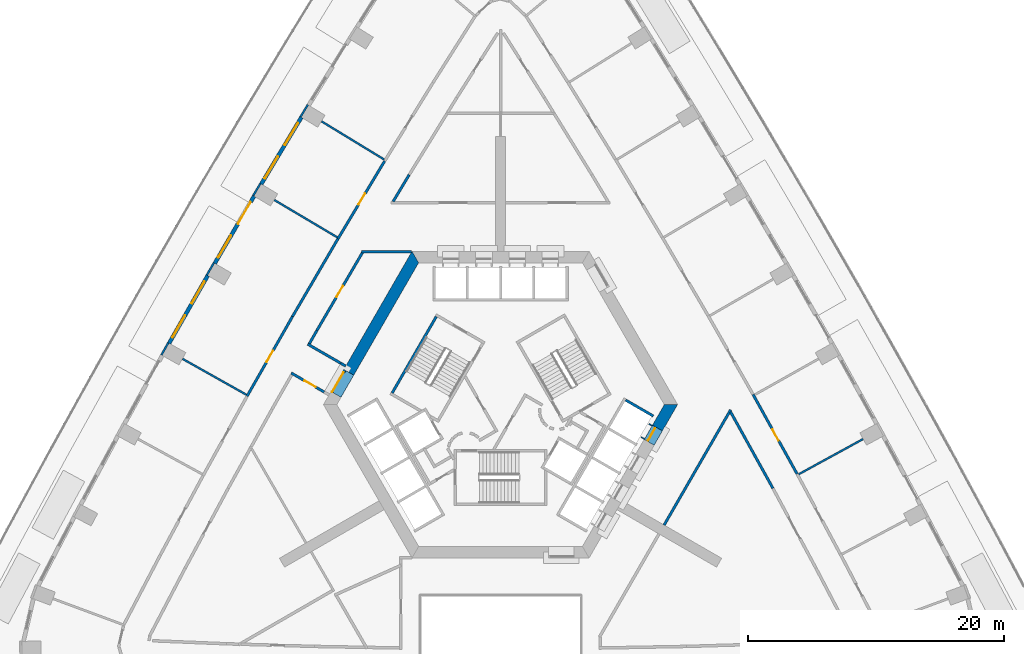
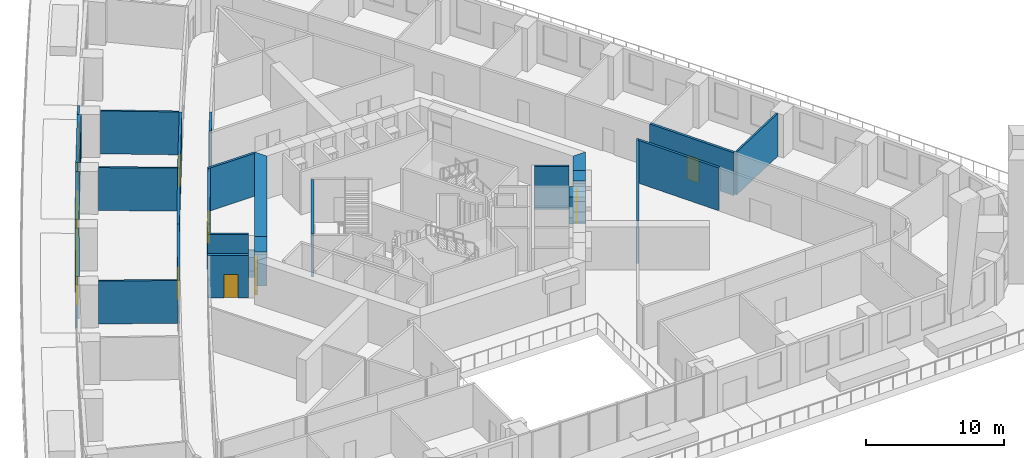
# One storey, part 8 of 16: 32 walls, 8 doors, 5 windows, 13 openings.
"""IFC4 building model written with IfcOpenShell, lengths in metres."""

from ifc_helpers import new_model, si_unit, direction, frame, frame_2d, origin, place, context, subcontext, project, spatial, polyline, rectangle, outline, extrude, material, layer, layer_set, type_object, element, fill, save


model = new_model("IFC4")

# Units and contexts
model_context = context("Model", 3, precision=1e-05, world=origin(), true_north=direction((0.0, 1.0)))
body_context = subcontext(model_context, "Body", "Model", "MODEL_VIEW")
ifc_project = project(units=[si_unit("LENGTHUNIT", "METRE"), si_unit("AREAUNIT", "SQUARE_METRE"), si_unit("VOLUMEUNIT", "CUBIC_METRE"), si_unit("PLANEANGLEUNIT", "RADIAN"), si_unit("MASSUNIT", "GRAM", prefix="KILO")], contexts=[model_context])

# Site, building, storey
site_placement = place(None, origin())
site = spatial("IfcSite", under=ifc_project, at=site_placement, CompositionType="ELEMENT")
building_placement = place(site_placement, origin())
building = spatial("IfcBuilding", under=site, at=building_placement, Name="Entoto Arch Interchange Tower", CompositionType="ELEMENT")
storey_placement = place(building_placement, frame((0.0, 0.0, 86.60009765625)))
storey = spatial("IfcBuildingStorey", under=building, at=storey_placement, Name="L18", CompositionType="ELEMENT", Elevation=86.60009765625)

# Wall, opening, door
ifc_material_1 = material(Name="Reinforced concrete C40/50", Category="concrete")
ifc_layer_1 = layer(ifc_material_1, 0.199951171875)
ifc_layer_set_1 = layer_set([ifc_layer_1], Name="Reinforced concrete C40/50")
wall_type_1 = type_object("IfcWallType", Name="CORE GAP INFILL WALL", PredefinedType="PARTITIONING", material=ifc_layer_set_1)
wall_1_placement = place(storey_placement, frame((-12.179931640625, 5.201904296875, 0.0), z_axis=(0.0, 0.0, 1.0), x_axis=(-0.50002537861, -0.866010750942, 0.0)))
wall_1 = element("IfcWall", 1, at=wall_1_placement, inside=storey, type_object=wall_type_1, Name="wall:L18:gap3", PredefinedType="PARTITIONING", context=body_context, shape_type="SweptSolid", body=[
    extrude(rectangle(XDim=2.0, YDim=0.199951171875, at=frame_2d((1.0, 0.0))), origin(), (0.0, 0.0, 1.0), 2.39990234375),
])
opening_1_placement = place(wall_1_placement, frame((0.18994140625, 0.0, 0.0)))
opening_1 = element("IfcOpeningElement", 2, at=opening_1_placement, cuts=wall_1, Name="Opening L18-D93", PredefinedType="OPENING", context=body_context, shape_type="SweptSolid", body=[
    extrude(rectangle(XDim=1.800048828125, YDim=2.10009765625, at=frame_2d((0.89990234375, 1.050048828125))), frame((0.0, 0.10986328125, 0.0), z_axis=(0.0, -1.0, 0.0), x_axis=(1.0, 0.0, 0.0)), (0.0, 0.0, 1.0), 0.219970703125),
])
ifc_material_2 = material(Name="Fire-rated Steel S235 door and frame", Category="steel")
door_type_1 = type_object("IfcDoorType", Name="DOOR FD-18 1800x2100", OperationType="DOUBLE_DOOR_SINGLE_SWING", PredefinedType="DOOR", material=ifc_material_2)
door_1_placement = place(opening_1_placement, origin())
door_1 = element("IfcDoor", 3, at=door_1_placement, inside=storey, type_object=door_type_1, Name="door:L18:gap3", OperationType="DOUBLE_DOOR_SINGLE_SWING", OverallHeight=2.10009765625, OverallWidth=1.800048828125, PredefinedType="DOOR", context=body_context, shape_type="SweptSolid", body=[
    extrude(rectangle(XDim=1.800048828125, YDim=2.10009765625, at=frame_2d((0.89990234375, 1.050048828125))), frame((0.0, 0.02490234375, 0.0), z_axis=(0.0, -1.0, 0.0), x_axis=(1.0, 0.0, 0.0)), (0.0, 0.0, 1.0), 0.050048828125),
])
fill(opening_1, door_1)

# Walls
ifc_material_3 = material(Name="Concrete C60/75", Category="concrete")
ifc_layer_2 = layer(ifc_material_3, 0.89990234375)
ifc_layer_set_2 = layer_set([ifc_layer_2], Name="Concrete C60/75")
wall_type_2 = type_object("IfcWallType", Name="Core wall 900 C60/75", PredefinedType="SHEAR", material=ifc_layer_set_2)
wall_2_placement = place(storey_placement, frame((0.0, 0.0, -0.60009765625)))
element("IfcWall", 4, at=wall_2_placement, inside=storey, type_object=wall_type_2, Name="Core wall NW L18", PredefinedType="SHEAR", context=body_context, shape_type="SweptSolid", body=[
    extrude(outline(polyline([(-12.26708984375, 5.251953125), (-11.488037109375, 4.802001953125), (-6.408935546875, 13.60009765625), (-6.927978515625, 14.5), (-12.26708984375, 5.251953125)])), origin(), (0.0, 0.0, 1.0), 4.39990234375),
])
wall_3_placement = place(storey_placement, frame((0.0, 0.0, 3.599853515625)))
element("IfcWall", 5, at=wall_3_placement, inside=storey, type_object=wall_type_2, Name="Core wall lintel NW L18", PredefinedType="SHEAR", context=body_context, shape_type="SweptSolid", body=[
    extrude(outline(polyline([(-13.26708984375, 3.52001953125), (-12.488037109375, 3.070068359375), (-11.488037109375, 4.802001953125), (-12.26708984375, 5.251953125), (-13.26708984375, 3.52001953125)])), origin(), (0.0, 0.0, 1.0), 0.199951171875),
])
wall_4_placement = place(storey_placement, frame((0.0, 0.0, -0.60009765625)))
element("IfcWall", 6, at=wall_4_placement, inside=storey, type_object=wall_type_2, Name="Core wall SE L18", PredefinedType="SHEAR", context=body_context, shape_type="SweptSolid", body=[
    extrude(outline(polyline([(11.887939453125, 0.889892578125), (12.6669921875, 0.43994140625), (13.85595703125, 2.5), (12.81689453125, 2.5), (11.887939453125, 0.889892578125)])), origin(), (0.0, 0.0, 1.0), 4.39990234375),
])
wall_5_placement = place(storey_placement, frame((0.0, 0.0, 3.599853515625)))
element("IfcWall", 7, at=wall_5_placement, inside=storey, type_object=wall_type_2, Name="Core wall lintel SE L18", PredefinedType="SHEAR", context=body_context, shape_type="SweptSolid", body=[
    extrude(outline(polyline([(12.6669921875, 0.43994140625), (11.887939453125, 0.889892578125), (11.238037109375, -0.236083984375), (12.01708984375, -0.68603515625), (12.6669921875, 0.43994140625)])), origin(), (0.0, 0.0, 1.0), 0.199951171875),
])

# Wall, opening, door
ifc_material_4 = material(Name="Concrete C40/50", Category="concrete")
ifc_layer_3 = layer(ifc_material_4, 1.199951171875)
ifc_layer_set_3 = layer_set([ifc_layer_3], Name="Concrete C40/50")
wall_type_3 = type_object("IfcWallType", Name="LIFT LANDING INFILL WALL", PredefinedType="STANDARD", material=ifc_layer_set_3)
wall_6_placement = place(storey_placement, frame((11.498046875, -0.385009765625, 0.0), z_axis=(0.0, 0.0, 1.0), x_axis=(0.500221244143, 0.865897630733, 0.0)))
wall_6 = element("IfcWall", 8, at=wall_6_placement, inside=storey, type_object=wall_type_3, Name="Lift landing infill wall LR8 L18", PredefinedType="STANDARD", context=body_context, shape_type="SweptSolid", body=[
    extrude(rectangle(XDim=1.29931640625, YDim=1.199951171875, at=frame_2d((0.649658203125, 0.0))), origin(), (0.0, 0.0, 1.0), 2.39990234375),
])
opening_2_placement = place(wall_6_placement, frame((0.10009765625, 0.0, 0.0)))
opening_2 = element("IfcOpeningElement", 9, at=opening_2_placement, cuts=wall_6, Name="Opening LD-LR8-L18", PredefinedType="OPENING", context=body_context, shape_type="SweptSolid", body=[
    extrude(rectangle(XDim=1.10009765625, YDim=2.300048828125, at=frame_2d((0.550048828125, 1.14990234375))), frame((0.0, 0.60986328125, 0.0), z_axis=(0.0, -1.0, 0.0), x_axis=(1.0, 0.0, 0.0)), (0.0, 0.0, 1.0), 1.219970703125),
])
ifc_material_5 = material(Name="Stainless steel 1.4301 panels", Category="steel")
door_type_2 = type_object("IfcDoorType", Name="LIFT LANDING DOOR LD2 1100x2300", OperationType="SLIDING_TO_LEFT", PredefinedType="DOOR", material=ifc_material_5)
door_2_placement = place(opening_2_placement, origin())
door_2 = element("IfcDoor", 10, at=door_2_placement, inside=storey, type_object=door_type_2, Name="Lift landing door LR8 L18", OperationType="SLIDING_TO_LEFT", OverallHeight=2.300048828125, OverallWidth=1.10009765625, PredefinedType="DOOR", context=body_context, shape_type="SweptSolid", body=[
    extrude(rectangle(XDim=1.10009765625, YDim=2.300048828125, at=frame_2d((0.550048828125, 1.14990234375))), frame((0.0, 0.02490234375, 0.0), z_axis=(0.0, -1.0, 0.0), x_axis=(1.0, 0.0, 0.0)), (0.0, 0.0, 1.0), 0.050048828125),
])
fill(opening_2, door_2)

# Walls
ifc_layer_4 = layer(ifc_material_4, 0.199951171875)
ifc_layer_set_4 = layer_set([ifc_layer_4], Name="Concrete C40/50")
wall_type_4 = type_object("IfcWallType", Name="LIFT SHAFT WALL 200", PredefinedType="STANDARD", material=ifc_layer_set_4)
wall_7_placement = place(storey_placement, frame((9.7880859375, 2.85302734375, 0.0), z_axis=(0.0, 0.0, 1.0), x_axis=(0.865998541277, -0.500046524342, 0.0)))
element("IfcWall", 11, at=wall_7_placement, inside=storey, type_object=wall_type_4, Name="Shaft wall SE3 cross 5", PredefinedType="STANDARD", context=body_context, shape_type="SweptSolid", body=[
    extrude(rectangle(XDim=2.499755859375, YDim=0.199951171875, at=frame_2d((1.25, 0.0))), origin(), (0.0, 0.0, 1.0), 3.7998046875),
])
ifc_material_6 = material(Name="Gypsum board partition on steel studs", Category="steel")
ifc_layer_5 = layer(ifc_material_6, 0.14990234375)
ifc_layer_set_5 = layer_set([ifc_layer_5], Name="Gypsum board partition on steel studs")
wall_type_5 = type_object("IfcWallType", Name="PARTITION 150", PredefinedType="PARTITIONING", material=ifc_layer_set_5)
wall_8_placement = place(storey_placement, frame((23.3359375, -2.949951171875, 0.0), z_axis=(0.0, 0.0, 1.0), x_axis=(0.877455496162, 0.479658057637, 0.0)))
element("IfcWall", 12, at=wall_8_placement, inside=storey, type_object=wall_type_5, Name="wall:L18:p116", PredefinedType="PARTITIONING", context=body_context, shape_type="SweptSolid", body=[
    extrude(rectangle(XDim=5.729248046875, YDim=0.14990234375, at=frame_2d((2.86474609375, 0.0))), origin(), (0.0, 0.0, 1.0), 3.7998046875),
])
wall_9_placement = place(storey_placement, frame((-9.113037109375, 21.68408203125, 0.0), z_axis=(0.0, 0.0, 1.0), x_axis=(-0.854075097122, 0.520149717367, 0.0)))
element("IfcWall", 13, at=wall_9_placement, inside=storey, type_object=wall_type_5, Name="wall:L18:p124", PredefinedType="PARTITIONING", context=body_context, shape_type="SweptSolid", body=[
    extrude(rectangle(XDim=5.72900390625, YDim=0.14990234375, at=frame_2d((2.864501953125, 0.0))), origin(), (0.0, 0.0, 1.0), 3.7998046875),
])
wall_10_placement = place(storey_placement, frame((-12.77587890625, 15.589111328125, 0.0), z_axis=(0.0, 0.0, 1.0), x_axis=(-0.860225086153, 0.509914503768, 0.0)))
element("IfcWall", 14, at=wall_10_placement, inside=storey, type_object=wall_type_5, Name="wall:L18:p125", PredefinedType="PARTITIONING", context=body_context, shape_type="SweptSolid", body=[
    extrude(rectangle(XDim=5.730224609375, YDim=0.14990234375, at=frame_2d((2.865234375, 0.0))), origin(), (0.0, 0.0, 1.0), 3.7998046875),
])
wall_11_placement = place(storey_placement, frame((-19.887939453125, 3.27001953125, 0.0), z_axis=(0.0, 0.0, 1.0), x_axis=(-0.871789386467, 0.489880868828, 0.0)))
element("IfcWall", 15, at=wall_11_placement, inside=storey, type_object=wall_type_5, Name="wall:L18:p126", PredefinedType="PARTITIONING", context=body_context, shape_type="SweptSolid", body=[
    extrude(rectangle(XDim=5.729736328125, YDim=0.14990234375, at=frame_2d((2.86474609375, 0.0))), origin(), (0.0, 0.0, 1.0), 3.7998046875),
])
ifc_layer_6 = layer(ifc_material_6, 0.199951171875)
ifc_layer_set_6 = layer_set([ifc_layer_6], Name="Gypsum board partition on steel studs")
wall_type_6 = type_object("IfcWallType", Name="PARTITION 200", PredefinedType="PARTITIONING", material=ifc_layer_set_6)
wall_12_placement = place(storey_placement, frame((-7.14794921875, 20.488037109375, 0.0), z_axis=(0.0, 0.0, 1.0), x_axis=(-0.515008089027, -0.857185317325, 0.0)))
element("IfcWall", 16, at=wall_12_placement, inside=storey, type_object=wall_type_6, Name="wall:L18:p004", PredefinedType="PARTITIONING", context=body_context, shape_type="SweptSolid", body=[
    extrude(rectangle(XDim=2.452392578125, YDim=0.199951171875, at=frame_2d((1.22607421875, 0.0))), origin(), (0.0, 0.0, 1.0), 3.7998046875),
])

# Wall, opening, door
wall_13_placement = place(storey_placement, frame((-10.797119140625, 14.4150390625, 0.0), z_axis=(0.0, 0.0, 1.0), x_axis=(-0.505008297342, -0.863114488128, 0.0)))
wall_13 = element("IfcWall", 17, at=wall_13_placement, inside=storey, type_object=wall_type_6, Name="wall:L18:p005", PredefinedType="PARTITIONING", context=body_context, shape_type="SweptSolid", body=[
    extrude(rectangle(XDim=7.084716796875, YDim=0.199951171875, at=frame_2d((3.54248046875, 0.0))), origin(), (0.0, 0.0, 1.0), 3.7998046875),
])
opening_3_placement = place(wall_13_placement, frame((3.04296875, 0.0, 0.0)))
opening_3 = element("IfcOpeningElement", 18, at=opening_3_placement, cuts=wall_13, Name="Opening L18-D36", PredefinedType="OPENING", context=body_context, shape_type="SweptSolid", body=[
    extrude(rectangle(XDim=1.0, YDim=2.10009765625, at=frame_2d((0.5, 1.050048828125))), frame((0.0, 0.10986328125, 0.0), z_axis=(0.0, -1.0, 0.0), x_axis=(1.0, 0.0, 0.0)), (0.0, 0.0, 1.0), 0.219970703125),
])
ifc_material_7 = material(Name="Timber door leaf in Steel S235 frame", Category="steel")
door_type_3 = type_object("IfcDoorType", Name="DOOR DS-10 1000x2100", OperationType="SINGLE_SWING_LEFT", PredefinedType="DOOR", material=ifc_material_7)
door_3_placement = place(opening_3_placement, origin())
door_3 = element("IfcDoor", 19, at=door_3_placement, inside=storey, type_object=door_type_3, Name="door:L18:36", OperationType="SINGLE_SWING_LEFT", OverallHeight=2.10009765625, OverallWidth=1.0, PredefinedType="DOOR", context=body_context, shape_type="SweptSolid", body=[
    extrude(rectangle(XDim=1.0, YDim=2.10009765625, at=frame_2d((0.5, 1.050048828125))), frame((0.0, 0.02490234375, 0.0), z_axis=(0.0, -1.0, 0.0), x_axis=(1.0, 0.0, 0.0)), (0.0, 0.0, 1.0), 0.050048828125),
])
fill(opening_3, door_3)

# Walls
wall_14_placement = place(storey_placement, frame((-14.375, 8.300048828125, 0.0), z_axis=(0.0, 0.0, 1.0), x_axis=(-0.495074026382, -0.868850797549, 0.0)))
element("IfcWall", 20, at=wall_14_placement, inside=storey, type_object=wall_type_6, Name="wall:L18:p006", PredefinedType="PARTITIONING", context=body_context, shape_type="SweptSolid", body=[
    extrude(rectangle(XDim=1.185546875, YDim=0.199951171875, at=frame_2d((0.5927734375, 0.0))), origin(), (0.0, 0.0, 1.0), 3.7998046875),
])
wall_15_placement = place(storey_placement, frame((-15.097900390625, 7.23291015625, 0.0), z_axis=(0.0, 0.0, 1.0), x_axis=(0.866101363304, -0.499868411168, 0.0)))
element("IfcWall", 21, at=wall_15_placement, inside=storey, type_object=wall_type_6, Name="wall:L18:p007", PredefinedType="PARTITIONING", context=body_context, shape_type="SweptSolid", body=[
    extrude(rectangle(XDim=2.992431640625, YDim=0.199951171875, at=frame_2d((1.49609375, 0.0))), origin(), (0.0, 0.0, 1.0), 3.7998046875),
])
wall_16_placement = place(storey_placement, frame((21.31689453125, -4.052978515625, 0.0), z_axis=(0.0, 0.0, 1.0), x_axis=(-0.484816829319, 0.874615711046, 0.0)))
element("IfcWall", 22, at=wall_16_placement, inside=storey, type_object=wall_type_6, Name="wall:L18:p018", PredefinedType="PARTITIONING", context=body_context, shape_type="SweptSolid", body=[
    extrude(rectangle(XDim=6.826904296875, YDim=0.199951171875, at=frame_2d((3.41357421875, 0.0))), origin(), (0.0, 0.0, 1.0), 3.7998046875),
])

# Wall, opening, door
wall_17_placement = place(storey_placement, frame((19.763916015625, 3.285888671875, 0.0), z_axis=(0.0, 0.0, 1.0), x_axis=(0.484858403734, -0.874592664232, 0.0)))
wall_17 = element("IfcWall", 23, at=wall_17_placement, inside=storey, type_object=wall_type_6, Name="wall:L18:p041", PredefinedType="PARTITIONING", context=body_context, shape_type="SweptSolid", body=[
    extrude(rectangle(XDim=7.109375, YDim=0.199951171875, at=frame_2d((3.5546875, 0.0))), origin(), (0.0, 0.0, 1.0), 3.7998046875),
])
opening_4_placement = place(wall_17_placement, frame((3.1298828125, 0.0, 0.0)))
opening_4 = element("IfcOpeningElement", 24, at=opening_4_placement, cuts=wall_17, Name="Opening L18-D07", PredefinedType="OPENING", context=body_context, shape_type="SweptSolid", body=[
    extrude(rectangle(XDim=1.0, YDim=2.10009765625, at=frame_2d((0.5, 1.050048828125))), frame((0.0, 0.10986328125, 0.0), z_axis=(0.0, -1.0, 0.0), x_axis=(1.0, 0.0, 0.0)), (0.0, 0.0, 1.0), 0.219970703125),
])
door_4_placement = place(opening_4_placement, origin())
door_4 = element("IfcDoor", 25, at=door_4_placement, inside=storey, type_object=door_type_3, Name="door:L18:07", OperationType="SINGLE_SWING_LEFT", OverallHeight=2.10009765625, OverallWidth=1.0, PredefinedType="DOOR", context=body_context, shape_type="SweptSolid", body=[
    extrude(rectangle(XDim=1.0, YDim=2.10009765625, at=frame_2d((0.5, 1.050048828125))), frame((0.0, 0.02490234375, 0.0), z_axis=(0.0, -1.0, 0.0), x_axis=(1.0, 0.0, 0.0)), (0.0, 0.0, 1.0), 0.050048828125),
])
fill(opening_4, door_4)

wall_18_placement = place(storey_placement, frame((-12.72802734375, 15.472900390625, 0.0), z_axis=(0.0, 0.0, 1.0), x_axis=(0.515010673306, 0.857183764651, 0.0)))
wall_18 = element("IfcWall", 26, at=wall_18_placement, inside=storey, type_object=wall_type_6, Name="wall:L18:p053", PredefinedType="PARTITIONING", context=body_context, shape_type="SweptSolid", body=[
    extrude(rectangle(XDim=7.11083984375, YDim=0.199951171875, at=frame_2d((3.555419921875, 0.0))), origin(), (0.0, 0.0, 1.0), 3.7998046875),
])
opening_5_placement = place(wall_18_placement, frame((3.1298828125, 0.0, 0.0)))
opening_5 = element("IfcOpeningElement", 27, at=opening_5_placement, cuts=wall_18, Name="Opening L18-D15", PredefinedType="OPENING", context=body_context, shape_type="SweptSolid", body=[
    extrude(rectangle(XDim=1.0, YDim=2.10009765625, at=frame_2d((0.5, 1.050048828125))), frame((0.0, 0.10986328125, 0.0), z_axis=(0.0, -1.0, 0.0), x_axis=(1.0, 0.0, 0.0)), (0.0, 0.0, 1.0), 0.219970703125),
])
door_5_placement = place(opening_5_placement, origin())
door_5 = element("IfcDoor", 28, at=door_5_placement, inside=storey, type_object=door_type_3, Name="door:L18:15", OperationType="SINGLE_SWING_LEFT", OverallHeight=2.10009765625, OverallWidth=1.0, PredefinedType="DOOR", context=body_context, shape_type="SweptSolid", body=[
    extrude(rectangle(XDim=1.0, YDim=2.10009765625, at=frame_2d((0.5, 1.050048828125))), frame((0.0, 0.02490234375, 0.0), z_axis=(0.0, -1.0, 0.0), x_axis=(1.0, 0.0, 0.0)), (0.0, 0.0, 1.0), 0.050048828125),
])
fill(opening_5, door_5)

wall_19_placement = place(storey_placement, frame((-19.837890625, 3.156005859375, 0.0), z_axis=(0.0, 0.0, 1.0), x_axis=(0.494978648769, 0.868905137091, 0.0)))
wall_19 = element("IfcWall", 29, at=wall_19_placement, inside=storey, type_object=wall_type_6, Name="wall:L18:p054", PredefinedType="PARTITIONING", context=body_context, shape_type="SweptSolid", body=[
    extrude(rectangle(XDim=7.18603515625, YDim=0.199951171875, at=frame_2d((3.593017578125, 0.0))), origin(), (0.0, 0.0, 1.0), 3.7998046875),
])
opening_6_placement = place(wall_19_placement, frame((3.093017578125, 0.0, 0.0)))
opening_6 = element("IfcOpeningElement", 30, at=opening_6_placement, cuts=wall_19, Name="Opening L18-D16", PredefinedType="OPENING", context=body_context, shape_type="SweptSolid", body=[
    extrude(rectangle(XDim=1.0, YDim=2.10009765625, at=frame_2d((0.5, 1.050048828125))), frame((0.0, 0.10986328125, 0.0), z_axis=(0.0, -1.0, 0.0), x_axis=(1.0, 0.0, 0.0)), (0.0, 0.0, 1.0), 0.219970703125),
])
door_6_placement = place(opening_6_placement, origin())
door_6 = element("IfcDoor", 31, at=door_6_placement, inside=storey, type_object=door_type_3, Name="door:L18:16", OperationType="SINGLE_SWING_LEFT", OverallHeight=2.10009765625, OverallWidth=1.0, PredefinedType="DOOR", context=body_context, shape_type="SweptSolid", body=[
    extrude(rectangle(XDim=1.0, YDim=2.10009765625, at=frame_2d((0.5, 1.050048828125))), frame((0.0, 0.02490234375, 0.0), z_axis=(0.0, -1.0, 0.0), x_axis=(1.0, 0.0, 0.0)), (0.0, 0.0, 1.0), 0.050048828125),
])
fill(opening_6, door_6)

# Walls
wall_20_placement = place(storey_placement, frame((-16.281005859375, 9.39990234375, 0.0), z_axis=(0.0, 0.0, 1.0), x_axis=(0.504973069247, 0.863135099121, 0.0)))
element("IfcWall", 32, at=wall_20_placement, inside=storey, type_object=wall_type_6, Name="wall:L18:p055", PredefinedType="PARTITIONING", context=body_context, shape_type="SweptSolid", body=[
    extrude(rectangle(XDim=7.035888671875, YDim=0.199951171875, at=frame_2d((3.51806640625, 0.0))), origin(), (0.0, 0.0, 1.0), 3.7998046875),
])
wall_21_placement = place(storey_placement, frame((-6.95703125, 14.449951171875, 0.0), z_axis=(0.0, 0.0, 1.0), x_axis=(-1.0, 0.0, 0.0)))
element("IfcWall", 33, at=wall_21_placement, inside=storey, type_object=wall_type_6, Name="wall:L18:p101", PredefinedType="PARTITIONING", context=body_context, shape_type="SweptSolid", body=[
    extrude(rectangle(XDim=3.919921875, YDim=0.199951171875, at=frame_2d((1.9599609375, 0.0))), origin(), (0.0, 0.0, 1.0), 3.7998046875),
])
wall_22_placement = place(storey_placement, frame((18.009033203125, 2.092041015625, 0.0), z_axis=(0.0, 0.0, 1.0), x_axis=(-0.499980796252, -0.866036490789, 0.0)))
element("IfcWall", 34, at=wall_22_placement, inside=storey, type_object=wall_type_6, Name="wall:L18:p102", PredefinedType="PARTITIONING", context=body_context, shape_type="SweptSolid", body=[
    extrude(rectangle(XDim=10.41650390625, YDim=0.199951171875, at=frame_2d((5.208251953125, 0.0))), origin(), (0.0, 0.0, 1.0), 3.7998046875),
])
wall_23_placement = place(storey_placement, frame((-12.506103515625, 5.737060546875, 0.0), z_axis=(0.0, 0.0, 1.0), x_axis=(0.865624510465, -0.500693725627, 0.0)))
element("IfcWall", 35, at=wall_23_placement, inside=storey, type_object=wall_type_6, Name="wall:L18:p007", PredefinedType="PARTITIONING", context=body_context, shape_type="SweptSolid", body=[
    extrude(rectangle(XDim=0.449462890625, YDim=0.199951171875, at=frame_2d((0.224609375, 0.0))), origin(), (0.0, 0.0, 1.0), 2.39990234375),
])

# Wall, opening, door
wall_24_placement = place(storey_placement, frame((-13.806884765625, 3.485107421875, 0.0), z_axis=(0.0, 0.0, 1.0), x_axis=(-0.865947944451, 0.500134139508, 0.0)))
wall_24 = element("IfcWall", 36, at=wall_24_placement, inside=storey, type_object=wall_type_6, Name="wall:L18:p020", PredefinedType="PARTITIONING", context=body_context, shape_type="SweptSolid", body=[
    extrude(rectangle(XDim=2.977294921875, YDim=0.199951171875, at=frame_2d((1.48876953125, 0.0))), origin(), (0.0, 0.0, 1.0), 3.7998046875),
])
opening_7_placement = place(wall_24_placement, frame((0.763916015625, 0.0, 0.0)))
opening_7 = element("IfcOpeningElement", 37, at=opening_7_placement, cuts=wall_24, Name="Opening L18-D28", PredefinedType="OPENING", context=body_context, shape_type="SweptSolid", body=[
    extrude(rectangle(XDim=1.0, YDim=2.10009765625, at=frame_2d((0.5, 1.050048828125))), frame((0.0, 0.10986328125, 0.0), z_axis=(0.0, -1.0, 0.0), x_axis=(1.0, 0.0, 0.0)), (0.0, 0.0, 1.0), 0.219970703125),
])
door_7_placement = place(opening_7_placement, origin())
door_7 = element("IfcDoor", 38, at=door_7_placement, inside=storey, type_object=door_type_3, Name="door:L18:28", OperationType="SINGLE_SWING_LEFT", OverallHeight=2.10009765625, OverallWidth=1.0, PredefinedType="DOOR", context=body_context, shape_type="SweptSolid", body=[
    extrude(rectangle(XDim=1.0, YDim=2.10009765625, at=frame_2d((0.5, 1.050048828125))), frame((0.0, 0.02490234375, 0.0), z_axis=(0.0, -1.0, 0.0), x_axis=(1.0, 0.0, 0.0)), (0.0, 0.0, 1.0), 0.050048828125),
])
fill(opening_7, door_7)

# Wall
ifc_layer_7 = layer(ifc_material_4, 0.199951171875)
ifc_layer_set_7 = layer_set([ifc_layer_7], Name="Concrete C40/50")
wall_type_7 = type_object("IfcWallType", Name="STAIR ENCLOSURE WALL 200", PredefinedType="STANDARD", material=ifc_layer_set_7)
wall_25_placement = place(storey_placement, frame((-5.030029296875, 9.387939453125, 0.0), z_axis=(0.0, 0.0, 1.0), x_axis=(-0.499978703459, -0.866037698999, 0.0)))
element("IfcWall", 39, at=wall_25_placement, inside=storey, type_object=wall_type_7, Name="Stair wall ST-NW back", PredefinedType="STANDARD", context=body_context, shape_type="SweptSolid", body=[
    extrude(rectangle(XDim=6.900146484375, YDim=0.199951171875, at=frame_2d((3.4501953125, 0.0))), origin(), (0.0, 0.0, 1.0), 3.7998046875),
])

# Wall, openings, windows
ifc_material_8 = material(Name="Welded tuff (ignimbrite) cladding, warm buff", Category="masonry")
ifc_layer_8 = layer(ifc_material_8, 0.300048828125)
ifc_layer_set_8 = layer_set([ifc_layer_8], Name="Welded tuff (ignimbrite) cladding, warm buff")
wall_type_8 = type_object("IfcWallType", Name="STONE INFILL WALL 300", PredefinedType="STANDARD", material=ifc_layer_set_8)
wall_26_placement = place(storey_placement, frame((-15.587890625, 24.98388671875, 0.0), z_axis=(0.0, 0.0, 1.0), x_axis=(-0.515102053092, -0.857128855483, 0.0)))
wall_26 = element("IfcWall", 40, at=wall_26_placement, inside=storey, type_object=wall_type_8, Name="Facade wall NW-03 L18", PredefinedType="STANDARD", context=body_context, shape_type="SweptSolid", body=[
    extrude(rectangle(XDim=6.09814453125, YDim=0.300048828125, at=frame_2d((3.049072265625, 0.0))), origin(), (0.0, 0.0, 1.0), 3.7998046875),
])
opening_8_placement = place(wall_26_placement, frame((0.52490234375, 0.0, 0.89990234375)))
opening_8 = element("IfcOpeningElement", 41, at=opening_8_placement, cuts=wall_26, Name="Opening WO-C", PredefinedType="OPENING", context=body_context, shape_type="SweptSolid", body=[
    extrude(rectangle(XDim=2.0, YDim=2.60009765625, at=frame_2d((1.0, 1.300048828125))), frame((0.0, 0.16015625, 0.0), z_axis=(0.0, -1.0, 0.0), x_axis=(1.0, 0.0, 0.0)), (0.0, 0.0, 1.0), 0.320068359375),
])
opening_9_placement = place(wall_26_placement, frame((3.573974609375, 0.0, 0.89990234375)))
opening_9 = element("IfcOpeningElement", 42, at=opening_9_placement, cuts=wall_26, Name="Opening WO-C", PredefinedType="OPENING", context=body_context, shape_type="SweptSolid", body=[
    extrude(rectangle(XDim=2.0, YDim=2.60009765625, at=frame_2d((1.0, 1.300048828125))), frame((0.0, 0.16015625, 0.0), z_axis=(0.0, -1.0, 0.0), x_axis=(1.0, 0.0, 0.0)), (0.0, 0.0, 1.0), 0.320068359375),
])
ifc_material_9 = material(Name="Clear glass, low-e double glazed", Category="glass")
window_type = type_object("IfcWindowType", Name="WINDOW WO-C 2000x2600", PartitioningType="DOUBLE_PANEL_VERTICAL", PredefinedType="WINDOW", material=ifc_material_9)
window_1_placement = place(opening_8_placement, origin())
window_1 = element("IfcWindow", 43, at=window_1_placement, inside=storey, type_object=window_type, Name="Window WO-C NW-03 L18", OverallHeight=2.60009765625, OverallWidth=2.0, PartitioningType="SINGLE_PANEL", PredefinedType="WINDOW", context=body_context, shape_type="SweptSolid", body=[
    extrude(rectangle(XDim=2.0, YDim=2.60009765625, at=frame_2d((1.0, 1.300048828125))), frame((0.0, 0.030029296875, 0.0), z_axis=(0.0, -1.0, 0.0), x_axis=(1.0, 0.0, 0.0)), (0.0, 0.0, 1.0), 0.06005859375),
])
fill(opening_8, window_1)
window_2_placement = place(opening_9_placement, origin())
window_2 = element("IfcWindow", 44, at=window_2_placement, inside=storey, type_object=window_type, Name="Window WO-C NW-03 L18", OverallHeight=2.60009765625, OverallWidth=2.0, PartitioningType="SINGLE_PANEL", PredefinedType="WINDOW", context=body_context, shape_type="SweptSolid", body=[
    extrude(rectangle(XDim=2.0, YDim=2.60009765625, at=frame_2d((1.0, 1.300048828125))), frame((0.0, 0.030029296875, 0.0), z_axis=(0.0, -1.0, 0.0), x_axis=(1.0, 0.0, 0.0)), (0.0, 0.0, 1.0), 0.06005859375),
])
fill(opening_9, window_2)

# Wall, openings, door, window
wall_27_placement = place(storey_placement, frame((-19.2890625, 18.81298828125, 0.0), z_axis=(0.0, 0.0, 1.0), x_axis=(-0.504998117261, -0.863120444413, 0.0)))
wall_27 = element("IfcWall", 45, at=wall_27_placement, inside=storey, type_object=wall_type_8, Name="Facade wall NW-04 L18", PredefinedType="STANDARD", context=body_context, shape_type="SweptSolid", body=[
    extrude(rectangle(XDim=6.0986328125, YDim=0.300048828125, at=frame_2d((3.04931640625, 0.0))), origin(), (0.0, 0.0, 1.0), 3.7998046875),
])
opening_10_placement = place(wall_27_placement, frame((0.52490234375, 0.0, 0.0)))
opening_10 = element("IfcOpeningElement", 46, at=opening_10_placement, cuts=wall_27, Name="Opening DT-NW-04-L18", PredefinedType="OPENING", context=body_context, shape_type="SweptSolid", body=[
    extrude(rectangle(XDim=2.0, YDim=2.39990234375, at=frame_2d((1.0, 1.199951171875))), frame((0.0, 0.16015625, 0.0), z_axis=(0.0, -1.0, 0.0), x_axis=(1.0, 0.0, 0.0)), (0.0, 0.0, 1.0), 0.320068359375),
])
opening_11_placement = place(wall_27_placement, frame((3.573974609375, 0.0, 0.89990234375)))
opening_11 = element("IfcOpeningElement", 47, at=opening_11_placement, cuts=wall_27, Name="Opening WO-C", PredefinedType="OPENING", context=body_context, shape_type="SweptSolid", body=[
    extrude(rectangle(XDim=2.0, YDim=2.60009765625, at=frame_2d((1.0, 1.300048828125))), frame((0.0, 0.16015625, 0.0), z_axis=(0.0, -1.0, 0.0), x_axis=(1.0, 0.0, 0.0)), (0.0, 0.0, 1.0), 0.320068359375),
])
ifc_material_10 = material(Name="Aluminium and clear glass, anodised", Category="aluminium")
door_type_4 = type_object("IfcDoorType", Name="TERRACE DOOR DT 2000x2400", OperationType="SLIDING_TO_LEFT", PredefinedType="DOOR", material=ifc_material_10)
door_8_placement = place(opening_10_placement, origin())
door_8 = element("IfcDoor", 48, at=door_8_placement, inside=storey, type_object=door_type_4, Name="Terrace door NW-04 L18", OperationType="SLIDING_TO_LEFT", OverallHeight=2.39990234375, OverallWidth=2.0, PredefinedType="DOOR", context=body_context, shape_type="SweptSolid", body=[
    extrude(rectangle(XDim=2.0, YDim=2.39990234375, at=frame_2d((1.0, 1.199951171875))), frame((0.0, 0.02490234375, 0.0), z_axis=(0.0, -1.0, 0.0), x_axis=(1.0, 0.0, 0.0)), (0.0, 0.0, 1.0), 0.050048828125),
])
fill(opening_10, door_8)
window_3_placement = place(opening_11_placement, origin())
window_3 = element("IfcWindow", 49, at=window_3_placement, inside=storey, type_object=window_type, Name="Window WO-C NW-04 L18", OverallHeight=2.60009765625, OverallWidth=2.0, PartitioningType="SINGLE_PANEL", PredefinedType="WINDOW", context=body_context, shape_type="SweptSolid", body=[
    extrude(rectangle(XDim=2.0, YDim=2.60009765625, at=frame_2d((1.0, 1.300048828125))), frame((0.0, 0.030029296875, 0.0), z_axis=(0.0, -1.0, 0.0), x_axis=(1.0, 0.0, 0.0)), (0.0, 0.0, 1.0), 0.06005859375),
])
fill(opening_11, window_3)

# Wall, openings, windows
wall_28_placement = place(storey_placement, frame((-22.91796875, 12.597900390625, 0.0), z_axis=(0.0, 0.0, 1.0), x_axis=(-0.49492259535, -0.868937065967, 0.0)))
wall_28 = element("IfcWall", 50, at=wall_28_placement, inside=storey, type_object=wall_type_8, Name="Facade wall NW-05 L18", PredefinedType="STANDARD", context=body_context, shape_type="SweptSolid", body=[
    extrude(rectangle(XDim=6.09814453125, YDim=0.300048828125, at=frame_2d((3.049072265625, 0.0))), origin(), (0.0, 0.0, 1.0), 3.7998046875),
])
opening_12_placement = place(wall_28_placement, frame((0.52490234375, 0.0, 0.89990234375)))
opening_12 = element("IfcOpeningElement", 51, at=opening_12_placement, cuts=wall_28, Name="Opening WO-C", PredefinedType="OPENING", context=body_context, shape_type="SweptSolid", body=[
    extrude(rectangle(XDim=2.0, YDim=2.60009765625, at=frame_2d((1.0, 1.300048828125))), frame((0.0, 0.16015625, 0.0), z_axis=(0.0, -1.0, 0.0), x_axis=(1.0, 0.0, 0.0)), (0.0, 0.0, 1.0), 0.320068359375),
])
opening_13_placement = place(wall_28_placement, frame((3.573974609375, 0.0, 0.89990234375)))
opening_13 = element("IfcOpeningElement", 52, at=opening_13_placement, cuts=wall_28, Name="Opening WO-C", PredefinedType="OPENING", context=body_context, shape_type="SweptSolid", body=[
    extrude(rectangle(XDim=2.0, YDim=2.60009765625, at=frame_2d((1.0, 1.300048828125))), frame((0.0, 0.16015625, 0.0), z_axis=(0.0, -1.0, 0.0), x_axis=(1.0, 0.0, 0.0)), (0.0, 0.0, 1.0), 0.320068359375),
])
window_4_placement = place(opening_12_placement, origin())
window_4 = element("IfcWindow", 53, at=window_4_placement, inside=storey, type_object=window_type, Name="Window WO-C NW-05 L18", OverallHeight=2.60009765625, OverallWidth=2.0, PartitioningType="SINGLE_PANEL", PredefinedType="WINDOW", context=body_context, shape_type="SweptSolid", body=[
    extrude(rectangle(XDim=2.0, YDim=2.60009765625, at=frame_2d((1.0, 1.300048828125))), frame((0.0, 0.030029296875, 0.0), z_axis=(0.0, -1.0, 0.0), x_axis=(1.0, 0.0, 0.0)), (0.0, 0.0, 1.0), 0.06005859375),
])
fill(opening_12, window_4)
window_5_placement = place(opening_13_placement, origin())
window_5 = element("IfcWindow", 54, at=window_5_placement, inside=storey, type_object=window_type, Name="Window WO-C NW-05 L18", OverallHeight=2.60009765625, OverallWidth=2.0, PartitioningType="SINGLE_PANEL", PredefinedType="WINDOW", context=body_context, shape_type="SweptSolid", body=[
    extrude(rectangle(XDim=2.0, YDim=2.60009765625, at=frame_2d((1.0, 1.300048828125))), frame((0.0, 0.030029296875, 0.0), z_axis=(0.0, -1.0, 0.0), x_axis=(1.0, 0.0, 0.0)), (0.0, 0.0, 1.0), 0.06005859375),
])
fill(opening_13, window_5)

# Walls
ifc_layer_9 = layer(ifc_material_8, 0.14990234375)
ifc_layer_set_9 = layer_set([ifc_layer_9], Name="Welded tuff (ignimbrite) cladding, warm buff")
wall_type_9 = type_object("IfcWallType", Name="STONE PIER CLADDING 150", PredefinedType="STANDARD", material=ifc_layer_set_9)
wall_29_placement = place(storey_placement, frame((-15.0830078125, 25.964111328125, 0.0), z_axis=(0.0, 0.0, 1.0), x_axis=(-0.51977099384, -0.854305632641, 0.0)))
element("IfcWall", 55, at=wall_29_placement, inside=storey, type_object=wall_type_9, Name="Stone pier NW03 L18", PredefinedType="STANDARD", context=body_context, shape_type="SweptSolid", body=[
    extrude(rectangle(XDim=1.1005859375, YDim=0.14990234375, at=frame_2d((0.55029296875, 0.0))), origin(), (0.0, 0.0, 1.0), 3.7998046875),
])
wall_30_placement = place(storey_placement, frame((-18.7958984375, 19.798095703125, 0.0), z_axis=(0.0, 0.0, 1.0), x_axis=(-0.510082245696, -0.860125631885, 0.0)))
element("IfcWall", 56, at=wall_30_placement, inside=storey, type_object=wall_type_9, Name="Stone pier NW04 L18", PredefinedType="STANDARD", context=body_context, shape_type="SweptSolid", body=[
    extrude(rectangle(XDim=1.099853515625, YDim=0.14990234375, at=frame_2d((0.5498046875, 0.0))), origin(), (0.0, 0.0, 1.0), 3.7998046875),
])
wall_31_placement = place(storey_placement, frame((-22.43603515625, 13.589111328125, 0.0), z_axis=(0.0, 0.0, 1.0), x_axis=(-0.499837685251, -0.86611909597, 0.0)))
element("IfcWall", 57, at=wall_31_placement, inside=storey, type_object=wall_type_9, Name="Stone pier NW05 L18", PredefinedType="STANDARD", context=body_context, shape_type="SweptSolid", body=[
    extrude(rectangle(XDim=1.100341796875, YDim=0.14990234375, at=frame_2d((0.55029296875, 0.0))), origin(), (0.0, 0.0, 1.0), 3.7998046875),
])
wall_32_placement = place(storey_placement, frame((-26.00390625, 7.337890625, 0.0), z_axis=(0.0, 0.0, 1.0), x_axis=(-0.490008344094, -0.871717742574, 0.0)))
element("IfcWall", 58, at=wall_32_placement, inside=storey, type_object=wall_type_9, Name="Stone pier NW06 L18", PredefinedType="STANDARD", context=body_context, shape_type="SweptSolid", body=[
    extrude(rectangle(XDim=1.10009765625, YDim=0.14990234375, at=frame_2d((0.550048828125, 0.0))), origin(), (0.0, 0.0, 1.0), 3.7998046875),
])

save(model, "model.ifc")
